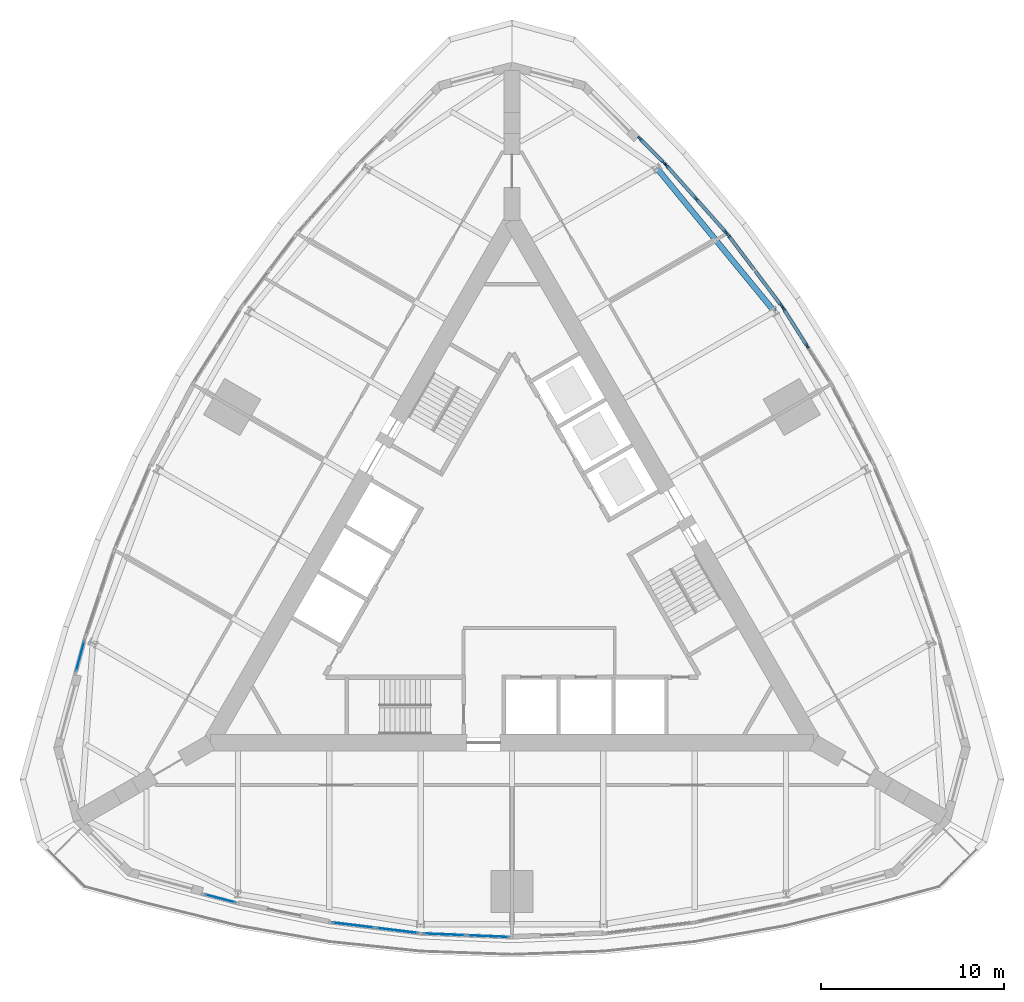
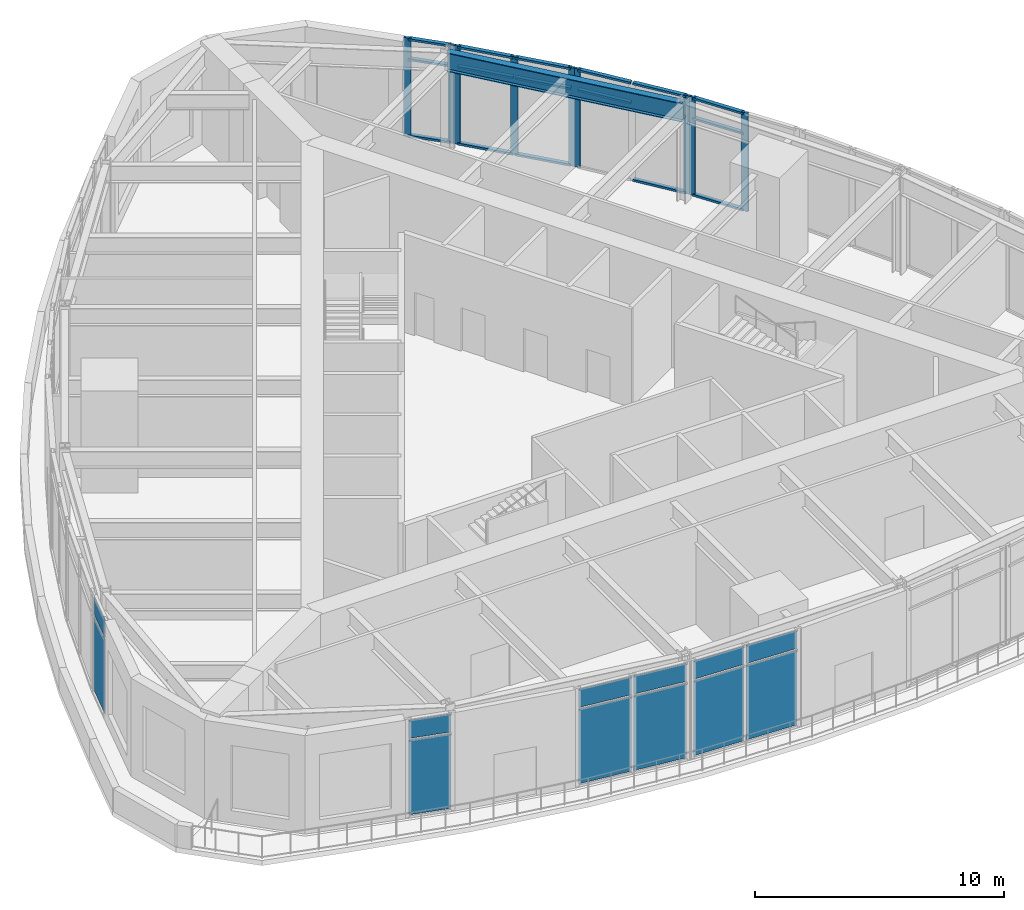
# One storey, part 5 of 13: 26 members, 12 plates, 1 beam, 8 elements without a shape of their own.
"""IFC4 building model written with IfcOpenShell, lengths in metres."""

from ifc_helpers import new_model, si_unit, direction, frame, origin, origin_2d, place, context, subcontext, project, spatial, rectangle, i_section, extrude, material, layer, layer_set, material_profile, profile_set, type_object, element, aggregate, save


model = new_model("IFC4")

# Units and contexts
model_context = context("Model", 3, precision=1e-05, world=origin(), true_north=direction((0.0, 1.0)))
body_context = subcontext(model_context, "Body", "Model", "MODEL_VIEW")
ifc_project = project(units=[si_unit("LENGTHUNIT", "METRE"), si_unit("AREAUNIT", "SQUARE_METRE"), si_unit("VOLUMEUNIT", "CUBIC_METRE"), si_unit("PLANEANGLEUNIT", "RADIAN"), si_unit("MASSUNIT", "GRAM", prefix="KILO")], contexts=[model_context])

# Site, building, storey
site_placement = place(None, origin())
site = spatial("IfcSite", under=ifc_project, at=site_placement, CompositionType="ELEMENT")
building_placement = place(site_placement, origin())
building = spatial("IfcBuilding", under=site, at=building_placement, Name="Trikona Tower", CompositionType="ELEMENT")
storey_placement = place(building_placement, frame((0.0, 0.0, 195.89990234375)))
storey = spatial("IfcBuildingStorey", under=building, at=storey_placement, Name="L52", CompositionType="ELEMENT", Elevation=195.89990234375)

# Curtain wall, members
ifc_material_1 = material(Name="Aluminium curtain wall system", Category="aluminium")
curtain_wall_type = type_object("IfcCurtainWallType", Name="Curtain wall SL", PredefinedType="NOTDEFINED", material=ifc_material_1)
curtain_wall_1_placement = place(storey_placement, origin())
curtain_wall_1 = element("IfcCurtainWall", 1, at=curtain_wall_1_placement, inside=storey, type_object=curtain_wall_type, Name="Curtain wall SL L52", PredefinedType="NOTDEFINED")
ifc_material_2 = material(Name="Aluminium mullion, pale anodised", Category="aluminium")
ifc_material_profile_1 = material_profile(ifc_material_2, rectangle(XDim=0.10009765625, YDim=0.300048828125, at=origin_2d()), Name="MUL-SL")
ifc_profile_set_1 = profile_set([ifc_material_profile_1], Name="Aluminium mullion, pale anodised")
member_type_1 = type_object("IfcMemberType", Name="Mullion SL 100x300", PredefinedType="MULLION", material=ifc_profile_set_1)
member_1_placement = place(storey_placement, frame((16.137451171875, 12.198974609375, 0.0), z_axis=(0.0, 0.0, 1.0), x_axis=(-0.84471787551, -0.535211837308, 0.0)))
member_1 = element("IfcMember", 2, at=member_1_placement, type_object=member_type_1, Name="CW-SL mullion 2", PredefinedType="MULLION", context=body_context, shape_type="SweptSolid", body=[
    extrude(rectangle(XDim=0.10009765625, YDim=0.300048828125, at=origin_2d()), origin(), (0.0, 0.0, 1.0), 4.835205078125),
])
member_2_placement = place(storey_placement, frame((14.857177734375, 14.2197265625, 0.0), z_axis=(0.0, 0.0, 1.0), x_axis=(-0.84471787551, -0.535211837308, 0.0)))
member_2 = element("IfcMember", 3, at=member_2_placement, type_object=member_type_1, Name="CW-SL mullion 3", PredefinedType="MULLION", context=body_context, shape_type="SweptSolid", body=[
    extrude(rectangle(XDim=0.10009765625, YDim=0.300048828125, at=origin_2d()), origin(), (0.0, 0.0, 1.0), 4.835205078125),
])

curtain_wall_2_placement = place(storey_placement, origin())
curtain_wall_2 = element("IfcCurtainWall", 4, at=curtain_wall_2_placement, inside=storey, type_object=curtain_wall_type, Name="Curtain wall SL L52", PredefinedType="NOTDEFINED")
member_3_placement = place(storey_placement, frame((14.736572265625, 14.393798828125, 0.0), z_axis=(0.0, 0.0, 1.0), x_axis=(-0.798193208724, -0.602401528506, 0.0)))
member_3 = element("IfcMember", 5, at=member_3_placement, type_object=member_type_1, Name="CW-SL mullion 1", PredefinedType="MULLION", context=body_context, shape_type="SweptSolid", body=[
    extrude(rectangle(XDim=0.10009765625, YDim=0.300048828125, at=origin_2d()), origin(), (0.0, 0.0, 1.0), 4.835205078125),
])
member_4_placement = place(storey_placement, frame((11.834228515625, 18.239501953125, 0.0), z_axis=(0.0, 0.0, 1.0), x_axis=(-0.798193208724, -0.602401528506, 0.0)))
member_4 = element("IfcMember", 6, at=member_4_placement, type_object=member_type_1, Name="CW-SL mullion 3", PredefinedType="MULLION", context=body_context, shape_type="SweptSolid", body=[
    extrude(rectangle(XDim=0.10009765625, YDim=0.300048828125, at=origin_2d()), origin(), (0.0, 0.0, 1.0), 4.835205078125),
])

curtain_wall_3_placement = place(storey_placement, origin())
curtain_wall_3 = element("IfcCurtainWall", 7, at=curtain_wall_3_placement, inside=storey, type_object=curtain_wall_type, Name="Curtain wall SL L52", PredefinedType="NOTDEFINED")
member_5_placement = place(storey_placement, frame((11.7001953125, 18.403076171875, 0.0), z_axis=(0.0, 0.0, 1.0), x_axis=(-0.747402677853, -0.664371309689, 0.0)))
member_5 = element("IfcMember", 8, at=member_5_placement, type_object=member_type_1, Name="CW-SL mullion 1", PredefinedType="MULLION", context=body_context, shape_type="SweptSolid", body=[
    extrude(rectangle(XDim=0.10009765625, YDim=0.300048828125, at=origin_2d()), origin(), (0.0, 0.0, 1.0), 4.835205078125),
])
member_6_placement = place(storey_placement, frame((10.077392578125, 20.228759765625, 0.0), z_axis=(0.0, 0.0, 1.0), x_axis=(-0.747402677853, -0.664371309689, 0.0)))
member_6 = element("IfcMember", 9, at=member_6_placement, type_object=member_type_1, Name="CW-SL mullion 2", PredefinedType="MULLION", context=body_context, shape_type="SweptSolid", body=[
    extrude(rectangle(XDim=0.10009765625, YDim=0.300048828125, at=origin_2d()), origin(), (0.0, 0.0, 1.0), 4.835205078125),
])
member_7_placement = place(storey_placement, frame((8.454833984375, 22.05419921875, 0.0), z_axis=(0.0, 0.0, 1.0), x_axis=(-0.747402677853, -0.664371309689, 0.0)))
member_7 = element("IfcMember", 10, at=member_7_placement, type_object=member_type_1, Name="CW-SL mullion 3", PredefinedType="MULLION", context=body_context, shape_type="SweptSolid", body=[
    extrude(rectangle(XDim=0.10009765625, YDim=0.300048828125, at=origin_2d()), origin(), (0.0, 0.0, 1.0), 4.835205078125),
])

curtain_wall_4_placement = place(storey_placement, origin())
curtain_wall_4 = element("IfcCurtainWall", 11, at=curtain_wall_4_placement, inside=storey, type_object=curtain_wall_type, Name="Curtain wall SL L52", PredefinedType="NOTDEFINED")
member_8_placement = place(storey_placement, frame((8.307861328125, 22.21044921875, 0.0), z_axis=(0.0, 0.0, 1.0), x_axis=(-0.710051900554, -0.704149343903, 0.0)))
member_8 = element("IfcMember", 12, at=member_8_placement, type_object=member_type_1, Name="CW-SL mullion 1", PredefinedType="MULLION", context=body_context, shape_type="SweptSolid", body=[
    extrude(rectangle(XDim=0.10009765625, YDim=0.300048828125, at=origin_2d()), origin(), (0.0, 0.0, 1.0), 4.835205078125),
])
member_9_placement = place(storey_placement, frame((7.00634765625, 23.52294921875, 0.0), z_axis=(0.0, 0.0, 1.0), x_axis=(-0.710051900554, -0.704149343903, 0.0)))
member_9 = element("IfcMember", 13, at=member_9_placement, type_object=member_type_1, Name="CW-SL mullion 2", PredefinedType="MULLION", context=body_context, shape_type="SweptSolid", body=[
    extrude(rectangle(XDim=0.10009765625, YDim=0.300048828125, at=origin_2d()), origin(), (0.0, 0.0, 1.0), 4.835205078125),
])

# Beam
ifc_material_3 = material(Name="Steel ASTM A992 Grade 50", Category="steel")
ifc_material_profile_2 = material_profile(ifc_material_3, i_section(OverallWidth=0.307373046875, OverallDepth=0.922119140625, WebThickness=0.018310546875, FlangeThickness=0.030029296875, at=origin_2d()), Name="W36X182")
ifc_profile_set_2 = profile_set([ifc_material_profile_2], Name="Steel ASTM A992 Grade 50")
beam_type = type_object("IfcBeamType", Name="Steel beam W36x182 (spandrel mid)", PredefinedType="SPANDREL", material=ifc_profile_set_2)
beam_placement = place(storey_placement, frame((14.36328125, 14.066162109375, 4.3740234375), z_axis=(-0.634105803308, 0.77324629337, 0.0), x_axis=(-0.77324629337, -0.634105803308, 0.0)))
element("IfcBeam", 14, at=beam_placement, inside=storey, type_object=beam_type, Name="Spandrel beam L53 F2-4", PredefinedType="SPANDREL", context=body_context, shape_type="SweptSolid", body=[
    extrude(i_section(OverallWidth=0.307373046875, OverallDepth=0.922119140625, WebThickness=0.018310546875, FlangeThickness=0.030029296875, at=origin_2d()), origin(), (0.0, 0.0, 1.0), 10.134765625),
])

# Member
ifc_material_4 = material(Name="Aluminium transom, pale anodised", Category="aluminium")
ifc_material_profile_3 = material_profile(ifc_material_4, rectangle(XDim=0.179931640625, YDim=0.10009765625, at=origin_2d()), Name="TRN-SL")
ifc_profile_set_3 = profile_set([ifc_material_profile_3], Name="Aluminium transom, pale anodised")
member_type_2 = type_object("IfcMemberType", Name="Transom SL 100x180", PredefinedType="USERDEFINED", material=ifc_profile_set_3)
member_10_placement = place(storey_placement, frame((16.110595703125, 12.2412109375, 0.050048828125), z_axis=(-0.535130634633, 0.844769319919, 0.0), x_axis=(-0.844769319919, -0.535130634633, 0.0)))
member_10 = element("IfcMember", 15, at=member_10_placement, type_object=member_type_2, Name="CW-SL transom 2.1", ObjectType="TRANSOM", PredefinedType="USERDEFINED", context=body_context, shape_type="SweptSolid", body=[
    extrude(rectangle(XDim=0.179931640625, YDim=0.10009765625, at=origin_2d()), origin(), (0.0, 0.0, 1.0), 2.2919921875),
])

member_11_placement = place(storey_placement, frame((16.110595703125, 12.2412109375, 3.800048828125), z_axis=(-0.535130634633, 0.844769319919, 0.0), x_axis=(-0.844769319919, -0.535130634633, 0.0)))
member_11 = element("IfcMember", 16, at=member_11_placement, type_object=member_type_2, Name="CW-SL transom 2.2", ObjectType="TRANSOM", PredefinedType="USERDEFINED", context=body_context, shape_type="SweptSolid", body=[
    extrude(rectangle(XDim=0.179931640625, YDim=0.10009765625, at=origin_2d()), origin(), (0.0, 0.0, 1.0), 2.2919921875),
])

member_12_placement = place(storey_placement, frame((16.110595703125, 12.2412109375, 4.78515625), z_axis=(-0.535130634633, 0.844769319919, 0.0), x_axis=(-0.844769319919, -0.535130634633, 0.0)))
member_12 = element("IfcMember", 17, at=member_12_placement, type_object=member_type_2, Name="CW-SL transom 2.3", ObjectType="TRANSOM", PredefinedType="USERDEFINED", context=body_context, shape_type="SweptSolid", body=[
    extrude(rectangle(XDim=0.179931640625, YDim=0.10009765625, at=origin_2d()), origin(), (0.0, 0.0, 1.0), 2.2919921875),
])

aggregate(curtain_wall_1, [member_1, member_2, member_10, member_11, member_12])

member_13_placement = place(storey_placement, frame((14.70654296875, 14.43359375, 0.050048828125), z_axis=(-0.602382755717, 0.798207376322, 0.0), x_axis=(-0.798207376322, -0.602382755717, 0.0)))
member_13 = element("IfcMember", 18, at=member_13_placement, type_object=member_type_2, Name="CW-SL transom 1.1", ObjectType="TRANSOM", PredefinedType="USERDEFINED", context=body_context, shape_type="SweptSolid", body=[
    extrude(rectangle(XDim=0.179931640625, YDim=0.10009765625, at=origin_2d()), origin(), (0.0, 0.0, 1.0), 2.308837890625),
])

member_14_placement = place(storey_placement, frame((14.70654296875, 14.43359375, 3.800048828125), z_axis=(-0.602382755717, 0.798207376322, 0.0), x_axis=(-0.798207376322, -0.602382755717, 0.0)))
member_14 = element("IfcMember", 19, at=member_14_placement, type_object=member_type_2, Name="CW-SL transom 1.2", ObjectType="TRANSOM", PredefinedType="USERDEFINED", context=body_context, shape_type="SweptSolid", body=[
    extrude(rectangle(XDim=0.179931640625, YDim=0.10009765625, at=origin_2d()), origin(), (0.0, 0.0, 1.0), 2.308837890625),
])

member_15_placement = place(storey_placement, frame((14.70654296875, 14.43359375, 4.78515625), z_axis=(-0.602382755717, 0.798207376322, 0.0), x_axis=(-0.798207376322, -0.602382755717, 0.0)))
member_15 = element("IfcMember", 20, at=member_15_placement, type_object=member_type_2, Name="CW-SL transom 1.3", ObjectType="TRANSOM", PredefinedType="USERDEFINED", context=body_context, shape_type="SweptSolid", body=[
    extrude(rectangle(XDim=0.179931640625, YDim=0.10009765625, at=origin_2d()), origin(), (0.0, 0.0, 1.0), 2.308837890625),
])

member_16_placement = place(storey_placement, frame((13.25537109375, 16.3564453125, 3.800048828125), z_axis=(-0.602382755717, 0.798207376322, 0.0), x_axis=(-0.798207376322, -0.602382755717, 0.0)))
member_16 = element("IfcMember", 21, at=member_16_placement, type_object=member_type_2, Name="CW-SL transom 2.2", ObjectType="TRANSOM", PredefinedType="USERDEFINED", context=body_context, shape_type="SweptSolid", body=[
    extrude(rectangle(XDim=0.179931640625, YDim=0.10009765625, at=origin_2d()), origin(), (0.0, 0.0, 1.0), 2.308837890625),
])

member_17_placement = place(storey_placement, frame((13.25537109375, 16.3564453125, 4.78515625), z_axis=(-0.602382755717, 0.798207376322, 0.0), x_axis=(-0.798207376322, -0.602382755717, 0.0)))
member_17 = element("IfcMember", 22, at=member_17_placement, type_object=member_type_2, Name="CW-SL transom 2.3", ObjectType="TRANSOM", PredefinedType="USERDEFINED", context=body_context, shape_type="SweptSolid", body=[
    extrude(rectangle(XDim=0.179931640625, YDim=0.10009765625, at=origin_2d()), origin(), (0.0, 0.0, 1.0), 2.308837890625),
])

aggregate(curtain_wall_2, [member_3, member_4, member_13, member_14, member_15, member_16, member_17])

member_18_placement = place(storey_placement, frame((11.666748046875, 18.4404296875, 0.050048828125), z_axis=(-0.66435090005, 0.747420819621, 0.0), x_axis=(-0.747420819621, -0.66435090005, 0.0)))
member_18 = element("IfcMember", 23, at=member_18_placement, type_object=member_type_2, Name="CW-SL transom 1.1", ObjectType="TRANSOM", PredefinedType="USERDEFINED", context=body_context, shape_type="SweptSolid", body=[
    extrude(rectangle(XDim=0.179931640625, YDim=0.10009765625, at=origin_2d()), origin(), (0.0, 0.0, 1.0), 2.34228515625),
])

member_19_placement = place(storey_placement, frame((11.666748046875, 18.4404296875, 3.800048828125), z_axis=(-0.66435090005, 0.747420819621, 0.0), x_axis=(-0.747420819621, -0.66435090005, 0.0)))
member_19 = element("IfcMember", 24, at=member_19_placement, type_object=member_type_2, Name="CW-SL transom 1.2", ObjectType="TRANSOM", PredefinedType="USERDEFINED", context=body_context, shape_type="SweptSolid", body=[
    extrude(rectangle(XDim=0.179931640625, YDim=0.10009765625, at=origin_2d()), origin(), (0.0, 0.0, 1.0), 2.34228515625),
])

member_20_placement = place(storey_placement, frame((11.666748046875, 18.4404296875, 4.78515625), z_axis=(-0.66435090005, 0.747420819621, 0.0), x_axis=(-0.747420819621, -0.66435090005, 0.0)))
member_20 = element("IfcMember", 25, at=member_20_placement, type_object=member_type_2, Name="CW-SL transom 1.3", ObjectType="TRANSOM", PredefinedType="USERDEFINED", context=body_context, shape_type="SweptSolid", body=[
    extrude(rectangle(XDim=0.179931640625, YDim=0.10009765625, at=origin_2d()), origin(), (0.0, 0.0, 1.0), 2.34228515625),
])

member_21_placement = place(storey_placement, frame((10.044189453125, 20.26611328125, 0.050048828125), z_axis=(-0.66435090005, 0.747420819621, 0.0), x_axis=(-0.747420819621, -0.66435090005, 0.0)))
member_21 = element("IfcMember", 26, at=member_21_placement, type_object=member_type_2, Name="CW-SL transom 2.1", ObjectType="TRANSOM", PredefinedType="USERDEFINED", context=body_context, shape_type="SweptSolid", body=[
    extrude(rectangle(XDim=0.179931640625, YDim=0.10009765625, at=origin_2d()), origin(), (0.0, 0.0, 1.0), 2.34228515625),
])

member_22_placement = place(storey_placement, frame((10.044189453125, 20.26611328125, 3.800048828125), z_axis=(-0.66435090005, 0.747420819621, 0.0), x_axis=(-0.747420819621, -0.66435090005, 0.0)))
member_22 = element("IfcMember", 27, at=member_22_placement, type_object=member_type_2, Name="CW-SL transom 2.2", ObjectType="TRANSOM", PredefinedType="USERDEFINED", context=body_context, shape_type="SweptSolid", body=[
    extrude(rectangle(XDim=0.179931640625, YDim=0.10009765625, at=origin_2d()), origin(), (0.0, 0.0, 1.0), 2.34228515625),
])

member_23_placement = place(storey_placement, frame((10.044189453125, 20.26611328125, 4.78515625), z_axis=(-0.66435090005, 0.747420819621, 0.0), x_axis=(-0.747420819621, -0.66435090005, 0.0)))
member_23 = element("IfcMember", 28, at=member_23_placement, type_object=member_type_2, Name="CW-SL transom 2.3", ObjectType="TRANSOM", PredefinedType="USERDEFINED", context=body_context, shape_type="SweptSolid", body=[
    extrude(rectangle(XDim=0.179931640625, YDim=0.10009765625, at=origin_2d()), origin(), (0.0, 0.0, 1.0), 2.34228515625),
])

aggregate(curtain_wall_3, [member_5, member_6, member_7, member_18, member_19, member_20, member_21, member_22, member_23])

member_24_placement = place(storey_placement, frame((8.272705078125, 22.24609375, 0.050048828125), z_axis=(-0.704238229127, 0.709963743185, 0.0), x_axis=(-0.709963743185, -0.704238229127, 0.0)))
member_24 = element("IfcMember", 29, at=member_24_placement, type_object=member_type_2, Name="CW-SL transom 1.1", ObjectType="TRANSOM", PredefinedType="USERDEFINED", context=body_context, shape_type="SweptSolid", body=[
    extrude(rectangle(XDim=0.179931640625, YDim=0.10009765625, at=origin_2d()), origin(), (0.0, 0.0, 1.0), 1.748291015625),
])

member_25_placement = place(storey_placement, frame((8.272705078125, 22.24609375, 3.800048828125), z_axis=(-0.704238229127, 0.709963743185, 0.0), x_axis=(-0.709963743185, -0.704238229127, 0.0)))
member_25 = element("IfcMember", 30, at=member_25_placement, type_object=member_type_2, Name="CW-SL transom 1.2", ObjectType="TRANSOM", PredefinedType="USERDEFINED", context=body_context, shape_type="SweptSolid", body=[
    extrude(rectangle(XDim=0.179931640625, YDim=0.10009765625, at=origin_2d()), origin(), (0.0, 0.0, 1.0), 1.748291015625),
])

member_26_placement = place(storey_placement, frame((8.272705078125, 22.24609375, 4.78515625), z_axis=(-0.704238229127, 0.709963743185, 0.0), x_axis=(-0.709963743185, -0.704238229127, 0.0)))
member_26 = element("IfcMember", 31, at=member_26_placement, type_object=member_type_2, Name="CW-SL transom 1.3", ObjectType="TRANSOM", PredefinedType="USERDEFINED", context=body_context, shape_type="SweptSolid", body=[
    extrude(rectangle(XDim=0.179931640625, YDim=0.10009765625, at=origin_2d()), origin(), (0.0, 0.0, 1.0), 1.748291015625),
])

aggregate(curtain_wall_4, [member_8, member_9, member_24, member_25, member_26])

# Curtain wall, plates
curtain_wall_5_placement = place(storey_placement, origin())
curtain_wall_5 = element("IfcCurtainWall", 32, at=curtain_wall_5_placement, inside=storey, type_object=curtain_wall_type, Name="Curtain wall SL L52", PredefinedType="NOTDEFINED")
ifc_material_5 = material(Name="Clear insulating glass unit", Category="glass")
ifc_layer = layer(ifc_material_5, 0.028076171875)
ifc_layer_set = layer_set([ifc_layer], Name="Glass panel SL")
plate_type = type_object("IfcPlateType", Name="Glass panel SL", PredefinedType="CURTAIN_PANEL", material=ifc_layer_set)
plate_1_placement = place(storey_placement, frame((-15.974609375, -18.064697265625, 0.10009765625), z_axis=(0.0, 0.0, 1.0), x_axis=(0.966997369647, -0.25478635579, 0.0)))
plate_1 = element("IfcPlate", 33, at=plate_1_placement, type_object=plate_type, Name="CW-SL panel 1.1", PredefinedType="CURTAIN_PANEL", context=body_context, shape_type="SweptSolid", body=[
    extrude(rectangle(XDim=1.748291015625, YDim=0.028076171875, at=origin_2d()), origin(), (0.0, 0.0, 1.0), 3.64990234375),
])
plate_2_placement = place(storey_placement, frame((-15.974609375, -18.064697265625, 3.85009765625), z_axis=(0.0, 0.0, 1.0), x_axis=(0.966997369647, -0.25478635579, 0.0)))
plate_2 = element("IfcPlate", 34, at=plate_2_placement, type_object=plate_type, Name="CW-SL panel 1.2", PredefinedType="CURTAIN_PANEL", context=body_context, shape_type="SweptSolid", body=[
    extrude(rectangle(XDim=1.748291015625, YDim=0.028076171875, at=origin_2d()), origin(), (0.0, 0.0, 1.0), 0.885009765625),
])
aggregate(curtain_wall_5, [plate_1, plate_2])

curtain_wall_6_placement = place(storey_placement, origin())
curtain_wall_6 = element("IfcCurtainWall", 35, at=curtain_wall_6_placement, inside=storey, type_object=curtain_wall_type, Name="Curtain wall SL L52", PredefinedType="NOTDEFINED")
plate_3_placement = place(storey_placement, frame((-8.68310546875, -19.51611328125, 0.10009765625), z_axis=(0.0, 0.0, 1.0), x_axis=(0.992454850785, -0.122610640458, 0.0)))
plate_3 = element("IfcPlate", 36, at=plate_3_placement, type_object=plate_type, Name="CW-SL panel 1.1", PredefinedType="CURTAIN_PANEL", context=body_context, shape_type="SweptSolid", body=[
    extrude(rectangle(XDim=2.30908203125, YDim=0.028076171875, at=origin_2d()), origin(), (0.0, 0.0, 1.0), 3.64990234375),
])
plate_4_placement = place(storey_placement, frame((-8.68310546875, -19.51611328125, 3.85009765625), z_axis=(0.0, 0.0, 1.0), x_axis=(0.992454850785, -0.122610640458, 0.0)))
plate_4 = element("IfcPlate", 37, at=plate_4_placement, type_object=plate_type, Name="CW-SL panel 1.2", PredefinedType="CURTAIN_PANEL", context=body_context, shape_type="SweptSolid", body=[
    extrude(rectangle(XDim=2.30908203125, YDim=0.028076171875, at=origin_2d()), origin(), (0.0, 0.0, 1.0), 0.885009765625),
])
plate_5_placement = place(storey_placement, frame((-6.292236328125, -19.8115234375, 0.10009765625), z_axis=(0.0, 0.0, 1.0), x_axis=(0.992454850785, -0.122610640458, 0.0)))
plate_5 = element("IfcPlate", 38, at=plate_5_placement, type_object=plate_type, Name="CW-SL panel 2.1", PredefinedType="CURTAIN_PANEL", context=body_context, shape_type="SweptSolid", body=[
    extrude(rectangle(XDim=2.30908203125, YDim=0.028076171875, at=origin_2d()), origin(), (0.0, 0.0, 1.0), 3.64990234375),
])
plate_6_placement = place(storey_placement, frame((-6.292236328125, -19.8115234375, 3.85009765625), z_axis=(0.0, 0.0, 1.0), x_axis=(0.992454850785, -0.122610640458, 0.0)))
plate_6 = element("IfcPlate", 39, at=plate_6_placement, type_object=plate_type, Name="CW-SL panel 2.2", PredefinedType="CURTAIN_PANEL", context=body_context, shape_type="SweptSolid", body=[
    extrude(rectangle(XDim=2.30908203125, YDim=0.028076171875, at=origin_2d()), origin(), (0.0, 0.0, 1.0), 0.885009765625),
])
aggregate(curtain_wall_6, [plate_3, plate_4, plate_5, plate_6])

curtain_wall_7_placement = place(storey_placement, origin())
curtain_wall_7 = element("IfcCurtainWall", 40, at=curtain_wall_7_placement, inside=storey, type_object=curtain_wall_type, Name="Curtain wall SL L52", PredefinedType="NOTDEFINED")
plate_7_placement = place(storey_placement, frame((-3.69091796875, -20.02587890625, 0.10009765625), z_axis=(0.0, 0.0, 1.0), x_axis=(0.999153706799, -0.041132349683, 0.0)))
plate_7 = element("IfcPlate", 41, at=plate_7_placement, type_object=plate_type, Name="CW-SL panel 1.1", PredefinedType="CURTAIN_PANEL", context=body_context, shape_type="SweptSolid", body=[
    extrude(rectangle(XDim=2.292236328125, YDim=0.028076171875, at=origin_2d()), origin(), (0.0, 0.0, 1.0), 3.64990234375),
])
plate_8_placement = place(storey_placement, frame((-3.69091796875, -20.02587890625, 3.85009765625), z_axis=(0.0, 0.0, 1.0), x_axis=(0.999153706799, -0.041132349683, 0.0)))
plate_8 = element("IfcPlate", 42, at=plate_8_placement, type_object=plate_type, Name="CW-SL panel 1.2", PredefinedType="CURTAIN_PANEL", context=body_context, shape_type="SweptSolid", body=[
    extrude(rectangle(XDim=2.292236328125, YDim=0.028076171875, at=origin_2d()), origin(), (0.0, 0.0, 1.0), 0.885009765625),
])
plate_9_placement = place(storey_placement, frame((-1.30078125, -20.124267578125, 0.10009765625), z_axis=(0.0, 0.0, 1.0), x_axis=(0.999153706799, -0.041132349683, 0.0)))
plate_9 = element("IfcPlate", 43, at=plate_9_placement, type_object=plate_type, Name="CW-SL panel 2.1", PredefinedType="CURTAIN_PANEL", context=body_context, shape_type="SweptSolid", body=[
    extrude(rectangle(XDim=2.292236328125, YDim=0.028076171875, at=origin_2d()), origin(), (0.0, 0.0, 1.0), 3.64990234375),
])
plate_10_placement = place(storey_placement, frame((-1.30078125, -20.124267578125, 3.85009765625), z_axis=(0.0, 0.0, 1.0), x_axis=(0.999153706799, -0.041132349683, 0.0)))
plate_10 = element("IfcPlate", 44, at=plate_10_placement, type_object=plate_type, Name="CW-SL panel 2.2", PredefinedType="CURTAIN_PANEL", context=body_context, shape_type="SweptSolid", body=[
    extrude(rectangle(XDim=2.292236328125, YDim=0.028076171875, at=origin_2d()), origin(), (0.0, 0.0, 1.0), 0.885009765625),
])
aggregate(curtain_wall_7, [plate_7, plate_8, plate_9, plate_10])

curtain_wall_8_placement = place(storey_placement, origin())
curtain_wall_8 = element("IfcCurtainWall", 45, at=curtain_wall_8_placement, inside=storey, type_object=curtain_wall_type, Name="Curtain wall SL L52", PredefinedType="NOTDEFINED")
plate_11_placement = place(storey_placement, frame((-23.631591796875, -4.802001953125, 0.10009765625), z_axis=(0.0, 0.0, 1.0), x_axis=(-0.262796003047, -0.964851419019, 0.0)))
plate_11 = element("IfcPlate", 46, at=plate_11_placement, type_object=plate_type, Name="CW-SL panel 1.1", PredefinedType="CURTAIN_PANEL", context=body_context, shape_type="SweptSolid", body=[
    extrude(rectangle(XDim=1.748291015625, YDim=0.028076171875, at=origin_2d()), origin(), (0.0, 0.0, 1.0), 3.64990234375),
])
plate_12_placement = place(storey_placement, frame((-23.631591796875, -4.802001953125, 3.85009765625), z_axis=(0.0, 0.0, 1.0), x_axis=(-0.262796003047, -0.964851419019, 0.0)))
plate_12 = element("IfcPlate", 47, at=plate_12_placement, type_object=plate_type, Name="CW-SL panel 1.2", PredefinedType="CURTAIN_PANEL", context=body_context, shape_type="SweptSolid", body=[
    extrude(rectangle(XDim=1.748291015625, YDim=0.028076171875, at=origin_2d()), origin(), (0.0, 0.0, 1.0), 0.885009765625),
])
aggregate(curtain_wall_8, [plate_11, plate_12])

save(model, "model.ifc")
